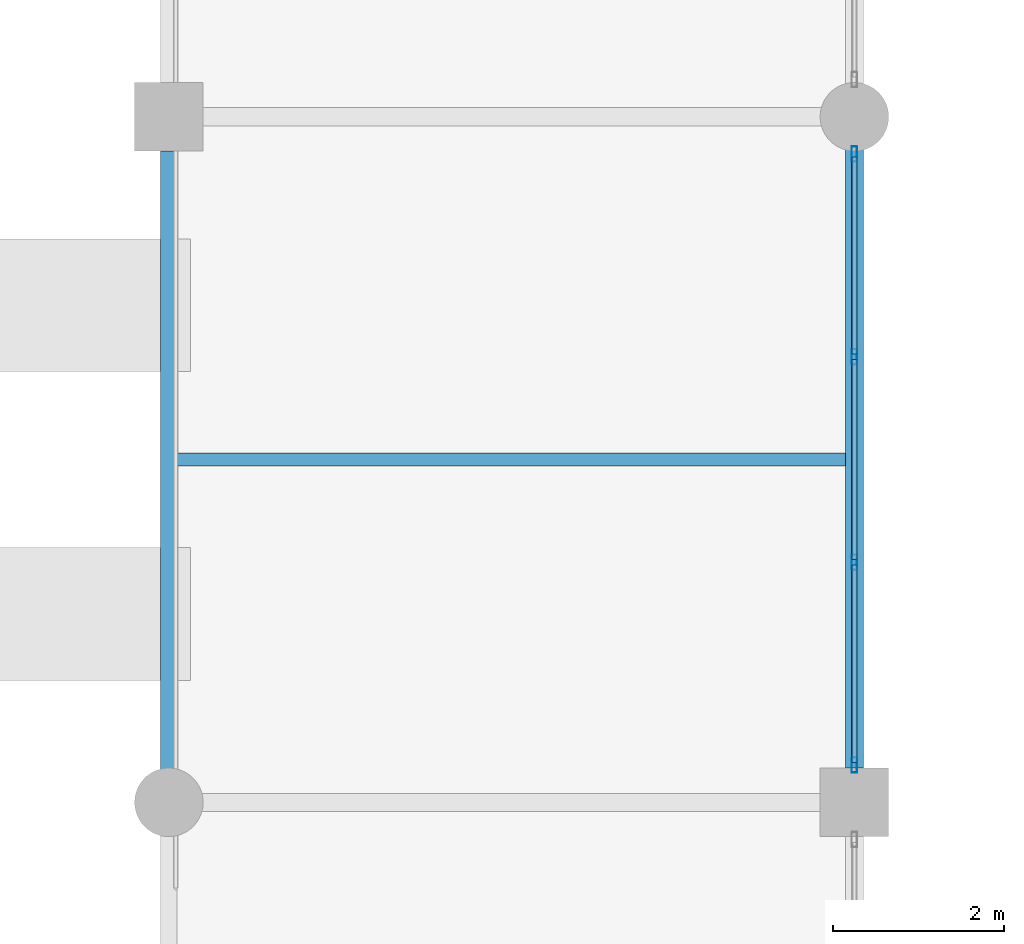
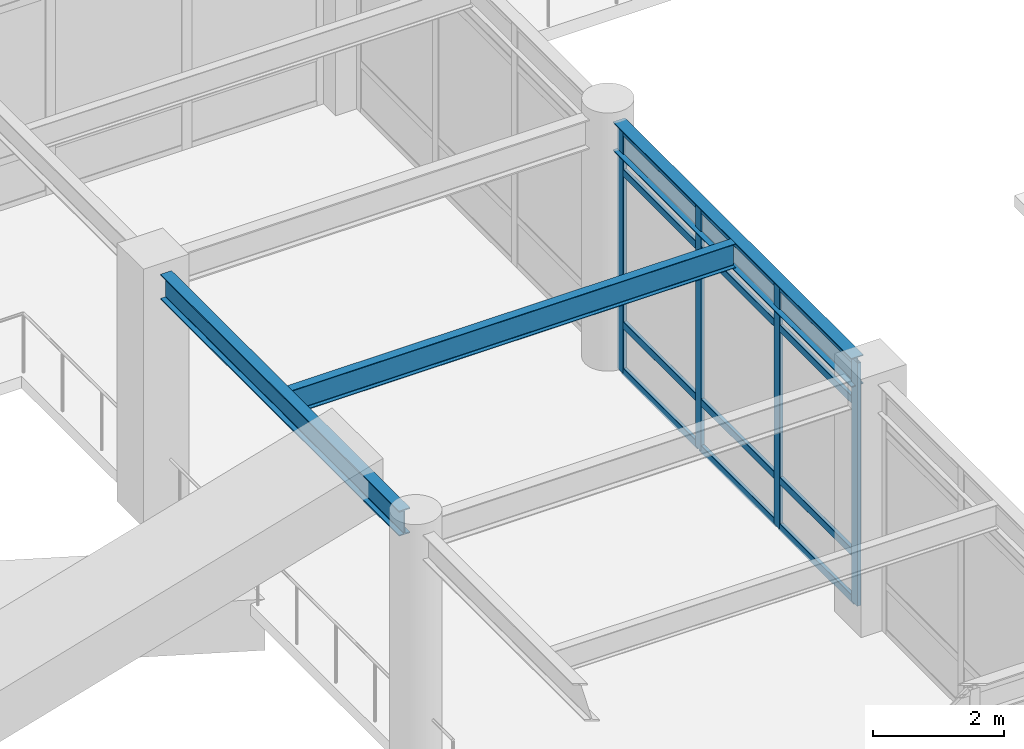
# One storey, part 45 of 117: 16 members, 3 beams, 1 element without a shape of its own.
"""IFC4 building model written with IfcOpenShell, lengths in metres."""

from ifc_helpers import new_model, si_unit, direction, frame, origin, origin_2d, place, context, subcontext, project, spatial, hollow_rectangle, i_section, extrude, material, material_profile, profile_set, type_object, element, aggregate, save


model = new_model("IFC4")

# Units and contexts
model_context = context("Model", 3, precision=1e-05, world=origin(), true_north=direction((0.0, 1.0)))
body_context = subcontext(model_context, "Body", "Model", "MODEL_VIEW")
ifc_project = project(units=[si_unit("LENGTHUNIT", "METRE"), si_unit("AREAUNIT", "SQUARE_METRE"), si_unit("VOLUMEUNIT", "CUBIC_METRE"), si_unit("PLANEANGLEUNIT", "RADIAN"), si_unit("MASSUNIT", "GRAM", prefix="KILO")], contexts=[model_context])

# Site, building, storey
site_placement = place(None, origin())
site = spatial("IfcSite", under=ifc_project, at=site_placement, CompositionType="ELEMENT")
building_placement = place(site_placement, origin())
building = spatial("IfcBuilding", under=site, at=building_placement, Name="Solmirada Galleria", CompositionType="ELEMENT")
storey_placement = place(building_placement, frame((0.0, 0.0, 5.60009765625)))
storey = spatial("IfcBuildingStorey", under=building, at=storey_placement, Name="L01", CompositionType="ELEMENT", Elevation=5.60009765625)

# Beams
ifc_material_1 = material(Name="Steel S355 / ASTM A992 Grade 50", Category="steel")
ifc_material_profile_1 = material_profile(ifc_material_1, i_section(OverallWidth=0.194091796875, OverallDepth=0.468994140625, WebThickness=0.0126953125, FlangeThickness=0.0205078125, FilletRadius=0.013916015625, at=origin_2d()), Name="W18X71")
ifc_profile_set_1 = profile_set([ifc_material_profile_1], Name="Steel S355 / ASTM A992 Grade 50")
beam_type_1 = type_object("IfcBeamType", Name="BM-GIRD-W18B", PredefinedType="BEAM", material=ifc_profile_set_1)
beam_1_placement = place(storey_placement, frame((104.0, 56.3359375, 4.365478515625), z_axis=(0.0, 1.0, 0.0), x_axis=(-1.0, 0.0, 0.0)))
element("IfcBeam", 1, at=beam_1_placement, inside=storey, type_object=beam_type_1, Name="Primary girder L02 Y(104, 56..64)", PredefinedType="BEAM", context=body_context, shape_type="SweptSolid", body=[
    extrude(i_section(OverallWidth=0.194091796875, OverallDepth=0.468994140625, WebThickness=0.0126953125, FlangeThickness=0.0205078125, FilletRadius=0.013916015625, at=origin_2d()), origin(), (0.0, 0.0, 1.0), 7.26416015625),
])
ifc_material_profile_2 = material_profile(ifc_material_1, i_section(OverallWidth=0.2099609375, OverallDepth=0.537109375, WebThickness=0.010986328125, FlangeThickness=0.017333984375, FilletRadius=0.014892578125, at=origin_2d()), Name="W21X68")
ifc_profile_set_2 = profile_set([ifc_material_profile_2], Name="Steel S355 / ASTM A992 Grade 50")
beam_type_2 = type_object("IfcBeamType", Name="BM-GIRD-W21B", PredefinedType="BEAM", material=ifc_profile_set_2)
beam_2_placement = place(storey_placement, frame((112.0, 56.39990234375, 4.331298828125), z_axis=(0.0, 1.0, 0.0), x_axis=(-1.0, 0.0, 0.0)))
element("IfcBeam", 2, at=beam_2_placement, inside=storey, type_object=beam_type_2, Name="Primary girder L02 Y(112, 56..64)", PredefinedType="BEAM", context=body_context, shape_type="SweptSolid", body=[
    extrude(i_section(OverallWidth=0.2099609375, OverallDepth=0.537109375, WebThickness=0.010986328125, FlangeThickness=0.017333984375, FilletRadius=0.014892578125, at=origin_2d()), origin(), (0.0, 0.0, 1.0), 7.26416015625),
])
ifc_material_profile_3 = material_profile(ifc_material_1, i_section(OverallWidth=0.152099609375, OverallDepth=0.449951171875, WebThickness=0.007568359375, FlangeThickness=0.0107421875, FilletRadius=0.011962890625, at=origin_2d()), Name="W18X35")
ifc_profile_set_3 = profile_set([ifc_material_profile_3], Name="Steel S355 / ASTM A992 Grade 50")
beam_type_3 = type_object("IfcBeamType", Name="BM-JST-W18B", PredefinedType="JOIST", material=ifc_profile_set_3)
beam_3_placement = place(storey_placement, frame((104.096923828125, 60.0, 4.375), z_axis=(1.0, 0.0, 0.0), x_axis=(0.0, 1.0, 0.0)))
element("IfcBeam", 3, at=beam_3_placement, inside=storey, type_object=beam_type_3, Name="Composite floor joist L02 (104..112, 60.0)", PredefinedType="JOIST", context=body_context, shape_type="SweptSolid", body=[
    extrude(i_section(OverallWidth=0.152099609375, OverallDepth=0.449951171875, WebThickness=0.007568359375, FlangeThickness=0.0107421875, FilletRadius=0.011962890625, at=origin_2d()), origin(), (0.0, 0.0, 1.0), 7.798095703125),
])

# Curtain wall, members
ifc_material_2 = material(Name="Impact-resistant low-E double glazing", Category="glass")
curtain_wall_type = type_object("IfcCurtainWallType", Name="CW-FZ3-L01-B3-L072", PredefinedType="NOTDEFINED", material=ifc_material_2)
curtain_wall_placement = place(storey_placement, origin())
curtain_wall = element("IfcCurtainWall", 4, at=curtain_wall_placement, inside=storey, type_object=curtain_wall_type, Name="Terrace and arcade storefront CW-L01-069", PredefinedType="NOTDEFINED")
ifc_material_3 = material(Name="Anodised aluminium framing", Category="aluminium")
ifc_material_profile_4 = material_profile(ifc_material_3, hollow_rectangle(XDim=0.06494140625, YDim=0.179931640625, WallThickness=0.00390625, InnerFilletRadius=0.00390625, OuterFilletRadius=0.008056640625, at=origin_2d()), Name="ALU-MULL-180X65")
ifc_profile_set_4 = profile_set([ifc_material_profile_4], Name="Anodised aluminium framing")
member_type_1 = type_object("IfcMemberType", Name="CW-MULL-180", PredefinedType="MULLION", material=ifc_profile_set_4)
member_1_placement = place(storey_placement, frame((112.0, 63.5654296875, 0.0), z_axis=(0.0, 0.0, 1.0), x_axis=(1.0, 0.0, 0.0)))
member_1 = element("IfcMember", 5, at=member_1_placement, type_object=member_type_1, Name="CW12 mullion 1", PredefinedType="MULLION", context=body_context, shape_type="SweptSolid", body=[
    extrude(hollow_rectangle(XDim=0.06494140625, YDim=0.179931640625, WallThickness=0.00390625, InnerFilletRadius=0.00390625, OuterFilletRadius=0.008056640625, at=origin_2d()), origin(), (0.0, 0.0, 1.0), 4.52001953125),
])
member_2_placement = place(storey_placement, frame((112.0, 61.19921875, 0.0), z_axis=(0.0, 0.0, 1.0), x_axis=(1.0, 0.0, 0.0)))
member_2 = element("IfcMember", 6, at=member_2_placement, type_object=member_type_1, Name="CW12 mullion 2", PredefinedType="MULLION", context=body_context, shape_type="SweptSolid", body=[
    extrude(hollow_rectangle(XDim=0.06494140625, YDim=0.179931640625, WallThickness=0.00390625, InnerFilletRadius=0.00390625, OuterFilletRadius=0.008056640625, at=origin_2d()), origin(), (0.0, 0.0, 1.0), 4.52001953125),
])
member_3_placement = place(storey_placement, frame((112.0, 58.80078125, 0.0), z_axis=(0.0, 0.0, 1.0), x_axis=(1.0, 0.0, 0.0)))
member_3 = element("IfcMember", 7, at=member_3_placement, type_object=member_type_1, Name="CW12 mullion 3", PredefinedType="MULLION", context=body_context, shape_type="SweptSolid", body=[
    extrude(hollow_rectangle(XDim=0.06494140625, YDim=0.179931640625, WallThickness=0.00390625, InnerFilletRadius=0.00390625, OuterFilletRadius=0.008056640625, at=origin_2d()), origin(), (0.0, 0.0, 1.0), 4.52001953125),
])
member_4_placement = place(storey_placement, frame((112.0, 56.4345703125, 0.0), z_axis=(0.0, 0.0, 1.0), x_axis=(1.0, 0.0, 0.0)))
member_4 = element("IfcMember", 8, at=member_4_placement, type_object=member_type_1, Name="CW12 mullion 4", PredefinedType="MULLION", context=body_context, shape_type="SweptSolid", body=[
    extrude(hollow_rectangle(XDim=0.06494140625, YDim=0.179931640625, WallThickness=0.00390625, InnerFilletRadius=0.00390625, OuterFilletRadius=0.008056640625, at=origin_2d()), origin(), (0.0, 0.0, 1.0), 4.52001953125),
])
ifc_material_profile_5 = material_profile(ifc_material_3, hollow_rectangle(XDim=0.06494140625, YDim=0.139892578125, WallThickness=0.00341796875, InnerFilletRadius=0.00341796875, OuterFilletRadius=0.007080078125, at=origin_2d()), Name="ALU-TRAN-140X65")
ifc_profile_set_5 = profile_set([ifc_material_profile_5], Name="Anodised aluminium framing")
member_type_2 = type_object("IfcMemberType", Name="CW-TRAN-140", PredefinedType="USERDEFINED", material=ifc_profile_set_5)
member_5_placement = place(storey_placement, frame((112.0, 63.532958984375, 0.032470703125), z_axis=(0.0, -1.0, 0.0), x_axis=(1.0, 0.0, 0.0)))
member_5 = element("IfcMember", 9, at=member_5_placement, type_object=member_type_2, Name="CW12 transom 1.1", ObjectType="TRANSOM", PredefinedType="USERDEFINED", context=body_context, shape_type="SweptSolid", body=[
    extrude(hollow_rectangle(XDim=0.06494140625, YDim=0.139892578125, WallThickness=0.00341796875, InnerFilletRadius=0.00341796875, OuterFilletRadius=0.007080078125, at=origin_2d()), origin(), (0.0, 0.0, 1.0), 2.301025390625),
])
member_6_placement = place(storey_placement, frame((112.0, 63.532958984375, 0.89990234375), z_axis=(0.0, -1.0, 0.0), x_axis=(1.0, 0.0, 0.0)))
member_6 = element("IfcMember", 10, at=member_6_placement, type_object=member_type_2, Name="CW12 transom 1.2", ObjectType="TRANSOM", PredefinedType="USERDEFINED", context=body_context, shape_type="SweptSolid", body=[
    extrude(hollow_rectangle(XDim=0.06494140625, YDim=0.139892578125, WallThickness=0.00341796875, InnerFilletRadius=0.00341796875, OuterFilletRadius=0.007080078125, at=origin_2d()), origin(), (0.0, 0.0, 1.0), 2.301025390625),
])
member_7_placement = place(storey_placement, frame((112.0, 63.532958984375, 3.72998046875), z_axis=(0.0, -1.0, 0.0), x_axis=(1.0, 0.0, 0.0)))
member_7 = element("IfcMember", 11, at=member_7_placement, type_object=member_type_2, Name="CW12 transom 1.3", ObjectType="TRANSOM", PredefinedType="USERDEFINED", context=body_context, shape_type="SweptSolid", body=[
    extrude(hollow_rectangle(XDim=0.06494140625, YDim=0.139892578125, WallThickness=0.00341796875, InnerFilletRadius=0.00341796875, OuterFilletRadius=0.007080078125, at=origin_2d()), origin(), (0.0, 0.0, 1.0), 2.301025390625),
])
member_8_placement = place(storey_placement, frame((112.0, 63.532958984375, 4.4873046875), z_axis=(0.0, -1.0, 0.0), x_axis=(1.0, 0.0, 0.0)))
member_8 = element("IfcMember", 12, at=member_8_placement, type_object=member_type_2, Name="CW12 transom 1.4", ObjectType="TRANSOM", PredefinedType="USERDEFINED", context=body_context, shape_type="SweptSolid", body=[
    extrude(hollow_rectangle(XDim=0.06494140625, YDim=0.139892578125, WallThickness=0.00341796875, InnerFilletRadius=0.00341796875, OuterFilletRadius=0.007080078125, at=origin_2d()), origin(), (0.0, 0.0, 1.0), 2.301025390625),
])
member_9_placement = place(storey_placement, frame((112.0, 61.166748046875, 0.032470703125), z_axis=(0.0, -1.0, 0.0), x_axis=(1.0, 0.0, 0.0)))
member_9 = element("IfcMember", 13, at=member_9_placement, type_object=member_type_2, Name="CW12 transom 2.1", ObjectType="TRANSOM", PredefinedType="USERDEFINED", context=body_context, shape_type="SweptSolid", body=[
    extrude(hollow_rectangle(XDim=0.06494140625, YDim=0.139892578125, WallThickness=0.00341796875, InnerFilletRadius=0.00341796875, OuterFilletRadius=0.007080078125, at=origin_2d()), origin(), (0.0, 0.0, 1.0), 2.33349609375),
])
member_10_placement = place(storey_placement, frame((112.0, 61.166748046875, 0.89990234375), z_axis=(0.0, -1.0, 0.0), x_axis=(1.0, 0.0, 0.0)))
member_10 = element("IfcMember", 14, at=member_10_placement, type_object=member_type_2, Name="CW12 transom 2.2", ObjectType="TRANSOM", PredefinedType="USERDEFINED", context=body_context, shape_type="SweptSolid", body=[
    extrude(hollow_rectangle(XDim=0.06494140625, YDim=0.139892578125, WallThickness=0.00341796875, InnerFilletRadius=0.00341796875, OuterFilletRadius=0.007080078125, at=origin_2d()), origin(), (0.0, 0.0, 1.0), 2.33349609375),
])
member_11_placement = place(storey_placement, frame((112.0, 61.166748046875, 3.72998046875), z_axis=(0.0, -1.0, 0.0), x_axis=(1.0, 0.0, 0.0)))
member_11 = element("IfcMember", 15, at=member_11_placement, type_object=member_type_2, Name="CW12 transom 2.3", ObjectType="TRANSOM", PredefinedType="USERDEFINED", context=body_context, shape_type="SweptSolid", body=[
    extrude(hollow_rectangle(XDim=0.06494140625, YDim=0.139892578125, WallThickness=0.00341796875, InnerFilletRadius=0.00341796875, OuterFilletRadius=0.007080078125, at=origin_2d()), origin(), (0.0, 0.0, 1.0), 2.33349609375),
])
member_12_placement = place(storey_placement, frame((112.0, 61.166748046875, 4.4873046875), z_axis=(0.0, -1.0, 0.0), x_axis=(1.0, 0.0, 0.0)))
member_12 = element("IfcMember", 16, at=member_12_placement, type_object=member_type_2, Name="CW12 transom 2.4", ObjectType="TRANSOM", PredefinedType="USERDEFINED", context=body_context, shape_type="SweptSolid", body=[
    extrude(hollow_rectangle(XDim=0.06494140625, YDim=0.139892578125, WallThickness=0.00341796875, InnerFilletRadius=0.00341796875, OuterFilletRadius=0.007080078125, at=origin_2d()), origin(), (0.0, 0.0, 1.0), 2.33349609375),
])
member_13_placement = place(storey_placement, frame((112.0, 58.76806640625, 0.032470703125), z_axis=(0.0, -1.0, 0.0), x_axis=(1.0, 0.0, 0.0)))
member_13 = element("IfcMember", 17, at=member_13_placement, type_object=member_type_2, Name="CW12 transom 3.1", ObjectType="TRANSOM", PredefinedType="USERDEFINED", context=body_context, shape_type="SweptSolid", body=[
    extrude(hollow_rectangle(XDim=0.06494140625, YDim=0.139892578125, WallThickness=0.00341796875, InnerFilletRadius=0.00341796875, OuterFilletRadius=0.007080078125, at=origin_2d()), origin(), (0.0, 0.0, 1.0), 2.301025390625),
])
member_14_placement = place(storey_placement, frame((112.0, 58.76806640625, 0.89990234375), z_axis=(0.0, -1.0, 0.0), x_axis=(1.0, 0.0, 0.0)))
member_14 = element("IfcMember", 18, at=member_14_placement, type_object=member_type_2, Name="CW12 transom 3.2", ObjectType="TRANSOM", PredefinedType="USERDEFINED", context=body_context, shape_type="SweptSolid", body=[
    extrude(hollow_rectangle(XDim=0.06494140625, YDim=0.139892578125, WallThickness=0.00341796875, InnerFilletRadius=0.00341796875, OuterFilletRadius=0.007080078125, at=origin_2d()), origin(), (0.0, 0.0, 1.0), 2.301025390625),
])
member_15_placement = place(storey_placement, frame((112.0, 58.76806640625, 3.72998046875), z_axis=(0.0, -1.0, 0.0), x_axis=(1.0, 0.0, 0.0)))
member_15 = element("IfcMember", 19, at=member_15_placement, type_object=member_type_2, Name="CW12 transom 3.3", ObjectType="TRANSOM", PredefinedType="USERDEFINED", context=body_context, shape_type="SweptSolid", body=[
    extrude(hollow_rectangle(XDim=0.06494140625, YDim=0.139892578125, WallThickness=0.00341796875, InnerFilletRadius=0.00341796875, OuterFilletRadius=0.007080078125, at=origin_2d()), origin(), (0.0, 0.0, 1.0), 2.301025390625),
])
member_16_placement = place(storey_placement, frame((112.0, 58.76806640625, 4.4873046875), z_axis=(0.0, -1.0, 0.0), x_axis=(1.0, 0.0, 0.0)))
member_16 = element("IfcMember", 20, at=member_16_placement, type_object=member_type_2, Name="CW12 transom 3.4", ObjectType="TRANSOM", PredefinedType="USERDEFINED", context=body_context, shape_type="SweptSolid", body=[
    extrude(hollow_rectangle(XDim=0.06494140625, YDim=0.139892578125, WallThickness=0.00341796875, InnerFilletRadius=0.00341796875, OuterFilletRadius=0.007080078125, at=origin_2d()), origin(), (0.0, 0.0, 1.0), 2.301025390625),
])
aggregate(curtain_wall, [member_1, member_2, member_3, member_4, member_5, member_6, member_7, member_8, member_9, member_10, member_11, member_12, member_13, member_14, member_15, member_16])

save(model, "model.ifc")
